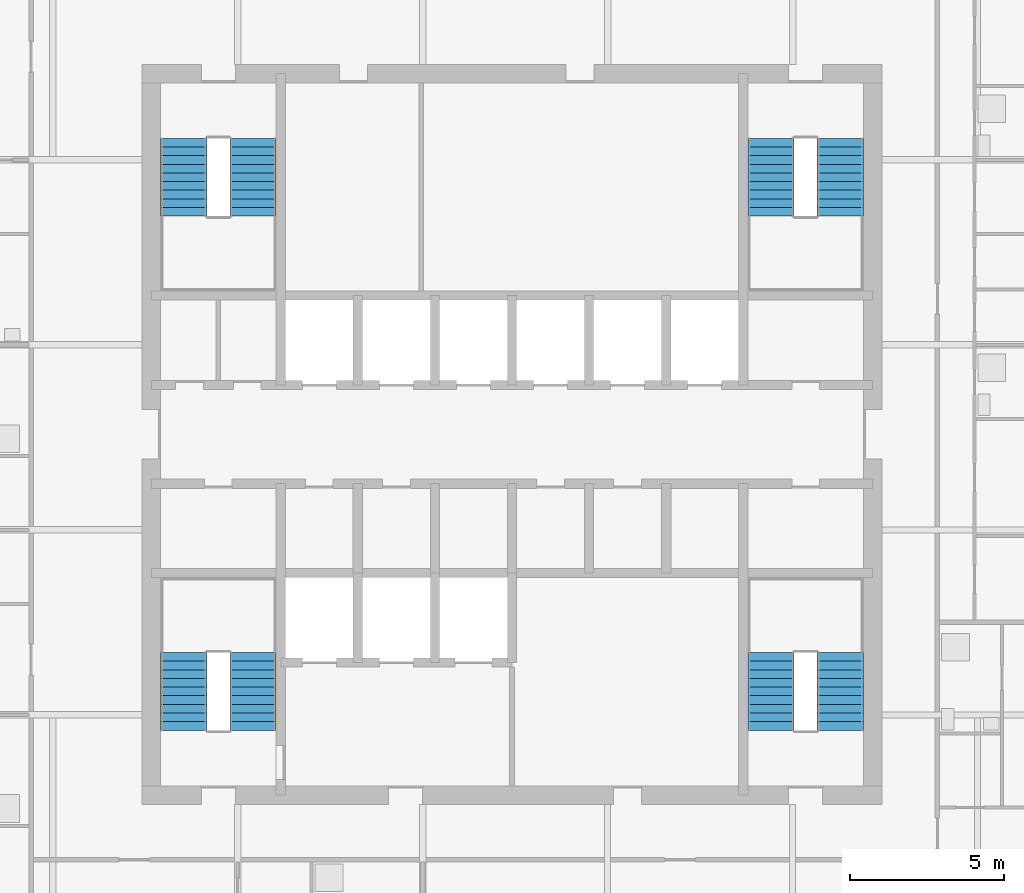
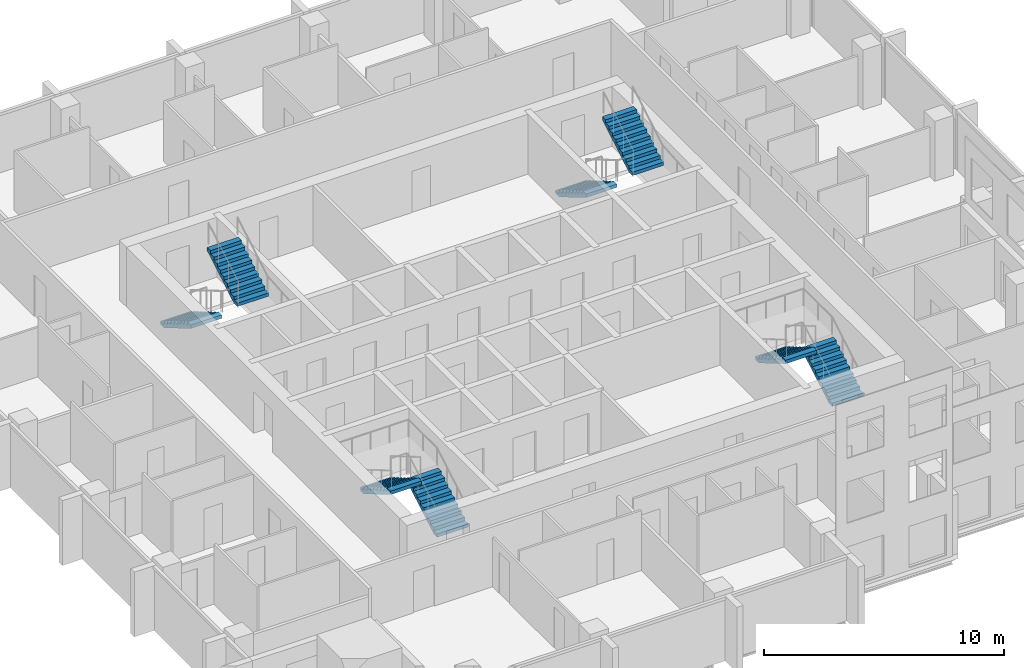
# One storey, part 8 of 11: 8 stair flights, 4 elements without a shape of their own.
"""IFC4 building model written with IfcOpenShell, lengths in metres."""

from ifc_helpers import new_model, si_unit, direction, frame, origin, place, context, subcontext, project, spatial, polyline, outline, extrude, material, type_object, element, aggregate, save


model = new_model("IFC4")

# Units and contexts
model_context = context("Model", 3, precision=1e-05, world=origin(), true_north=direction((0.0, 1.0)))
body_context = subcontext(model_context, "Body", "Model", "MODEL_VIEW")
ifc_project = project(units=[si_unit("LENGTHUNIT", "METRE"), si_unit("AREAUNIT", "SQUARE_METRE"), si_unit("VOLUMEUNIT", "CUBIC_METRE"), si_unit("PLANEANGLEUNIT", "RADIAN"), si_unit("MASSUNIT", "GRAM", prefix="KILO")], contexts=[model_context])

# Site, building, storey
site_placement = place(None, origin())
site = spatial("IfcSite", under=ifc_project, at=site_placement, CompositionType="ELEMENT")
building_placement = place(site_placement, origin())
building = spatial("IfcBuilding", under=site, at=building_placement, Name="Amberfall Residences", CompositionType="ELEMENT")
storey_placement = place(building_placement, frame((0.0, 0.0, 196.89990234375)))
storey = spatial("IfcBuildingStorey", under=building, at=storey_placement, Name="L52", CompositionType="ELEMENT", Elevation=196.89990234375)

# Stair, stair flights
ifc_material = material(Name="Concrete C40", Category="concrete")
stair_type = type_object("IfcStairType", Name="Exit stair 20 risers 165.0 mm", PredefinedType="HALF_TURN_STAIR", material=ifc_material)
stair_1_placement = place(storey_placement, origin())
stair_1 = element("IfcStair", 1, at=stair_1_placement, inside=storey, type_object=stair_type, Name="L52 Exit stair 1", PredefinedType="HALF_TURN_STAIR")
stair_flight_type = type_object("IfcStairFlightType", Name="Stair flight 10 risers 165.0 mm", PredefinedType="STRAIGHT", material=ifc_material)
stair_flight_1_placement = place(storey_placement, frame((66.10009765625, 35.89990234375, 0.0), z_axis=(0.0, 0.0, 1.0), x_axis=(0.0, 1.0, 0.0)))
stair_flight_1 = element("IfcStairFlight", 2, at=stair_flight_1_placement, type_object=stair_flight_type, Name="ST3 flight 1", NumberOfRisers=10, NumberOfTreads=9, PredefinedType="STRAIGHT", RiserHeight=0.165, TreadLength=0.28, context=body_context, shape_type="SweptSolid", body=[
    extrude(outline(polyline([(0.0, 0.0), (0.0, 0.1650390625), (0.280029296875, 0.1650390625), (0.280029296875, 0.330078125), (0.56005859375, 0.330078125), (0.56005859375, 0.4951171875), (0.840087890625, 0.4951171875), (0.840087890625, 0.659912109375), (1.1201171875, 0.659912109375), (1.1201171875, 0.824951171875), (1.39990234375, 0.824951171875), (1.39990234375, 0.989990234375), (1.679931640625, 0.989990234375), (1.679931640625, 1.155029296875), (1.9599609375, 1.155029296875), (1.9599609375, 1.320068359375), (2.239990234375, 1.320068359375), (2.239990234375, 1.485107421875), (2.52001953125, 1.485107421875), (2.52001953125, 1.64990234375), (2.52001953125, 1.31103515625), (0.295166015625, 0.0), (0.0, 0.0)])), frame((0.0, 0.75, 0.0), z_axis=(0.0, -1.0, 0.0), x_axis=(1.0, 0.0, 0.0)), (0.0, 0.0, 1.0), 1.5),
])
stair_flight_2_placement = place(storey_placement, frame((63.85009765625, 38.419921875, 1.650146484375), z_axis=(0.0, 0.0, 1.0), x_axis=(0.0, -1.0, 0.0)))
stair_flight_2 = element("IfcStairFlight", 3, at=stair_flight_2_placement, type_object=stair_flight_type, Name="ST3 flight 2", NumberOfRisers=10, NumberOfTreads=9, PredefinedType="STRAIGHT", RiserHeight=0.165, TreadLength=0.28, context=body_context, shape_type="SweptSolid", body=[
    extrude(outline(polyline([(0.0, 0.0), (0.0, 0.1650390625), (0.280029296875, 0.1650390625), (0.280029296875, 0.330078125), (0.56005859375, 0.330078125), (0.56005859375, 0.4951171875), (0.840087890625, 0.4951171875), (0.840087890625, 0.659912109375), (1.1201171875, 0.659912109375), (1.1201171875, 0.824951171875), (1.39990234375, 0.824951171875), (1.39990234375, 0.989990234375), (1.679931640625, 0.989990234375), (1.679931640625, 1.155029296875), (1.9599609375, 1.155029296875), (1.9599609375, 1.320068359375), (2.239990234375, 1.320068359375), (2.239990234375, 1.485107421875), (2.52001953125, 1.485107421875), (2.52001953125, 1.64990234375), (2.52001953125, 1.31103515625), (0.295166015625, 0.0), (0.0, 0.0)])), frame((0.0, 0.75, 0.0), z_axis=(0.0, -1.0, 0.0), x_axis=(1.0, 0.0, 0.0)), (0.0, 0.0, 1.0), 1.5),
])
aggregate(stair_1, [stair_flight_1, stair_flight_2])

stair_2_placement = place(storey_placement, origin())
stair_2 = element("IfcStair", 4, at=stair_2_placement, inside=storey, type_object=stair_type, Name="L52 Exit stair 2", PredefinedType="HALF_TURN_STAIR")
stair_flight_3_placement = place(storey_placement, frame((85.14990234375, 35.89990234375, 0.0), z_axis=(0.0, 0.0, 1.0), x_axis=(0.0, 1.0, 0.0)))
stair_flight_3 = element("IfcStairFlight", 5, at=stair_flight_3_placement, type_object=stair_flight_type, Name="ST3 flight 1", NumberOfRisers=10, NumberOfTreads=9, PredefinedType="STRAIGHT", RiserHeight=0.165, TreadLength=0.28, context=body_context, shape_type="SweptSolid", body=[
    extrude(outline(polyline([(0.0, 0.0), (0.0, 0.1650390625), (0.280029296875, 0.1650390625), (0.280029296875, 0.330078125), (0.56005859375, 0.330078125), (0.56005859375, 0.4951171875), (0.840087890625, 0.4951171875), (0.840087890625, 0.659912109375), (1.1201171875, 0.659912109375), (1.1201171875, 0.824951171875), (1.39990234375, 0.824951171875), (1.39990234375, 0.989990234375), (1.679931640625, 0.989990234375), (1.679931640625, 1.155029296875), (1.9599609375, 1.155029296875), (1.9599609375, 1.320068359375), (2.239990234375, 1.320068359375), (2.239990234375, 1.485107421875), (2.52001953125, 1.485107421875), (2.52001953125, 1.64990234375), (2.52001953125, 1.31103515625), (0.295166015625, 0.0), (0.0, 0.0)])), frame((0.0, 0.75, 0.0), z_axis=(0.0, -1.0, 0.0), x_axis=(1.0, 0.0, 0.0)), (0.0, 0.0, 1.0), 1.5),
])
stair_flight_4_placement = place(storey_placement, frame((82.89990234375, 38.419921875, 1.650146484375), z_axis=(0.0, 0.0, 1.0), x_axis=(0.0, -1.0, 0.0)))
stair_flight_4 = element("IfcStairFlight", 6, at=stair_flight_4_placement, type_object=stair_flight_type, Name="ST3 flight 2", NumberOfRisers=10, NumberOfTreads=9, PredefinedType="STRAIGHT", RiserHeight=0.165, TreadLength=0.28, context=body_context, shape_type="SweptSolid", body=[
    extrude(outline(polyline([(0.0, 0.0), (0.0, 0.1650390625), (0.280029296875, 0.1650390625), (0.280029296875, 0.330078125), (0.56005859375, 0.330078125), (0.56005859375, 0.4951171875), (0.840087890625, 0.4951171875), (0.840087890625, 0.659912109375), (1.1201171875, 0.659912109375), (1.1201171875, 0.824951171875), (1.39990234375, 0.824951171875), (1.39990234375, 0.989990234375), (1.679931640625, 0.989990234375), (1.679931640625, 1.155029296875), (1.9599609375, 1.155029296875), (1.9599609375, 1.320068359375), (2.239990234375, 1.320068359375), (2.239990234375, 1.485107421875), (2.52001953125, 1.485107421875), (2.52001953125, 1.64990234375), (2.52001953125, 1.31103515625), (0.295166015625, 0.0), (0.0, 0.0)])), frame((0.0, 0.75, 0.0), z_axis=(0.0, -1.0, 0.0), x_axis=(1.0, 0.0, 0.0)), (0.0, 0.0, 1.0), 1.5),
])
aggregate(stair_2, [stair_flight_3, stair_flight_4])

stair_3_placement = place(storey_placement, origin())
stair_3 = element("IfcStair", 7, at=stair_3_placement, inside=storey, type_object=stair_type, Name="L52 Exit stair 3", PredefinedType="HALF_TURN_STAIR")
stair_flight_5_placement = place(storey_placement, frame((82.89990234375, 55.10009765625, 0.0), z_axis=(0.0, 0.0, 1.0), x_axis=(0.0, -1.0, 0.0)))
stair_flight_5 = element("IfcStairFlight", 8, at=stair_flight_5_placement, type_object=stair_flight_type, Name="ST3 flight 1", NumberOfRisers=10, NumberOfTreads=9, PredefinedType="STRAIGHT", RiserHeight=0.165, TreadLength=0.28, context=body_context, shape_type="SweptSolid", body=[
    extrude(outline(polyline([(0.0, 0.0), (0.0, 0.1650390625), (0.280029296875, 0.1650390625), (0.280029296875, 0.330078125), (0.56005859375, 0.330078125), (0.56005859375, 0.4951171875), (0.840087890625, 0.4951171875), (0.840087890625, 0.659912109375), (1.1201171875, 0.659912109375), (1.1201171875, 0.824951171875), (1.39990234375, 0.824951171875), (1.39990234375, 0.989990234375), (1.679931640625, 0.989990234375), (1.679931640625, 1.155029296875), (1.9599609375, 1.155029296875), (1.9599609375, 1.320068359375), (2.239990234375, 1.320068359375), (2.239990234375, 1.485107421875), (2.52001953125, 1.485107421875), (2.52001953125, 1.64990234375), (2.52001953125, 1.31103515625), (0.295166015625, 0.0), (0.0, 0.0)])), frame((0.0, 0.75, 0.0), z_axis=(0.0, -1.0, 0.0), x_axis=(1.0, 0.0, 0.0)), (0.0, 0.0, 1.0), 1.5),
])
stair_flight_6_placement = place(storey_placement, frame((85.14990234375, 52.580078125, 1.650146484375), z_axis=(0.0, 0.0, 1.0), x_axis=(0.0, 1.0, 0.0)))
stair_flight_6 = element("IfcStairFlight", 9, at=stair_flight_6_placement, type_object=stair_flight_type, Name="ST3 flight 2", NumberOfRisers=10, NumberOfTreads=9, PredefinedType="STRAIGHT", RiserHeight=0.165, TreadLength=0.28, context=body_context, shape_type="SweptSolid", body=[
    extrude(outline(polyline([(0.0, 0.0), (0.0, 0.1650390625), (0.280029296875, 0.1650390625), (0.280029296875, 0.330078125), (0.56005859375, 0.330078125), (0.56005859375, 0.4951171875), (0.840087890625, 0.4951171875), (0.840087890625, 0.659912109375), (1.1201171875, 0.659912109375), (1.1201171875, 0.824951171875), (1.39990234375, 0.824951171875), (1.39990234375, 0.989990234375), (1.679931640625, 0.989990234375), (1.679931640625, 1.155029296875), (1.9599609375, 1.155029296875), (1.9599609375, 1.320068359375), (2.239990234375, 1.320068359375), (2.239990234375, 1.485107421875), (2.52001953125, 1.485107421875), (2.52001953125, 1.64990234375), (2.52001953125, 1.31103515625), (0.295166015625, 0.0), (0.0, 0.0)])), frame((0.0, 0.75, 0.0), z_axis=(0.0, -1.0, 0.0), x_axis=(1.0, 0.0, 0.0)), (0.0, 0.0, 1.0), 1.5),
])
aggregate(stair_3, [stair_flight_5, stair_flight_6])

stair_4_placement = place(storey_placement, origin())
stair_4 = element("IfcStair", 10, at=stair_4_placement, inside=storey, type_object=stair_type, Name="L52 Exit stair 4", PredefinedType="HALF_TURN_STAIR")
stair_flight_7_placement = place(storey_placement, frame((63.85009765625, 55.10009765625, 0.0), z_axis=(0.0, 0.0, 1.0), x_axis=(0.0, -1.0, 0.0)))
stair_flight_7 = element("IfcStairFlight", 11, at=stair_flight_7_placement, type_object=stair_flight_type, Name="ST3 flight 1", NumberOfRisers=10, NumberOfTreads=9, PredefinedType="STRAIGHT", RiserHeight=0.165, TreadLength=0.28, context=body_context, shape_type="SweptSolid", body=[
    extrude(outline(polyline([(0.0, 0.0), (0.0, 0.1650390625), (0.280029296875, 0.1650390625), (0.280029296875, 0.330078125), (0.56005859375, 0.330078125), (0.56005859375, 0.4951171875), (0.840087890625, 0.4951171875), (0.840087890625, 0.659912109375), (1.1201171875, 0.659912109375), (1.1201171875, 0.824951171875), (1.39990234375, 0.824951171875), (1.39990234375, 0.989990234375), (1.679931640625, 0.989990234375), (1.679931640625, 1.155029296875), (1.9599609375, 1.155029296875), (1.9599609375, 1.320068359375), (2.239990234375, 1.320068359375), (2.239990234375, 1.485107421875), (2.52001953125, 1.485107421875), (2.52001953125, 1.64990234375), (2.52001953125, 1.31103515625), (0.295166015625, 0.0), (0.0, 0.0)])), frame((0.0, 0.75, 0.0), z_axis=(0.0, -1.0, 0.0), x_axis=(1.0, 0.0, 0.0)), (0.0, 0.0, 1.0), 1.5),
])
stair_flight_8_placement = place(storey_placement, frame((66.10009765625, 52.580078125, 1.650146484375), z_axis=(0.0, 0.0, 1.0), x_axis=(0.0, 1.0, 0.0)))
stair_flight_8 = element("IfcStairFlight", 12, at=stair_flight_8_placement, type_object=stair_flight_type, Name="ST3 flight 2", NumberOfRisers=10, NumberOfTreads=9, PredefinedType="STRAIGHT", RiserHeight=0.165, TreadLength=0.28, context=body_context, shape_type="SweptSolid", body=[
    extrude(outline(polyline([(0.0, 0.0), (0.0, 0.1650390625), (0.280029296875, 0.1650390625), (0.280029296875, 0.330078125), (0.56005859375, 0.330078125), (0.56005859375, 0.4951171875), (0.840087890625, 0.4951171875), (0.840087890625, 0.659912109375), (1.1201171875, 0.659912109375), (1.1201171875, 0.824951171875), (1.39990234375, 0.824951171875), (1.39990234375, 0.989990234375), (1.679931640625, 0.989990234375), (1.679931640625, 1.155029296875), (1.9599609375, 1.155029296875), (1.9599609375, 1.320068359375), (2.239990234375, 1.320068359375), (2.239990234375, 1.485107421875), (2.52001953125, 1.485107421875), (2.52001953125, 1.64990234375), (2.52001953125, 1.31103515625), (0.295166015625, 0.0), (0.0, 0.0)])), frame((0.0, 0.75, 0.0), z_axis=(0.0, -1.0, 0.0), x_axis=(1.0, 0.0, 0.0)), (0.0, 0.0, 1.0), 1.5),
])
aggregate(stair_4, [stair_flight_7, stair_flight_8])

save(model, "model.ifc")
